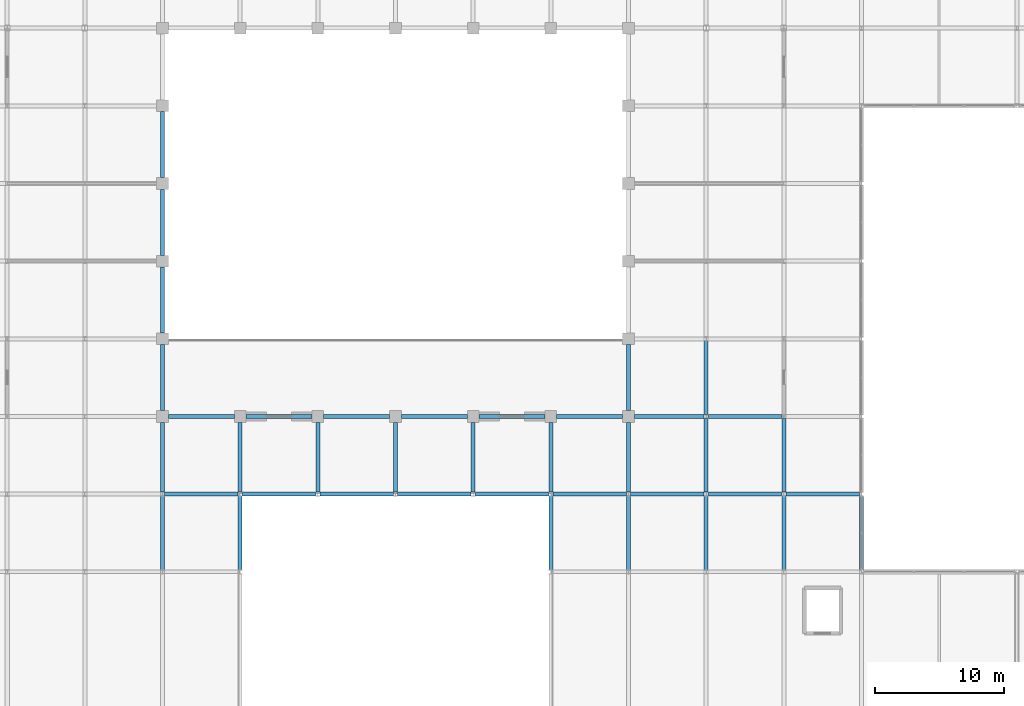
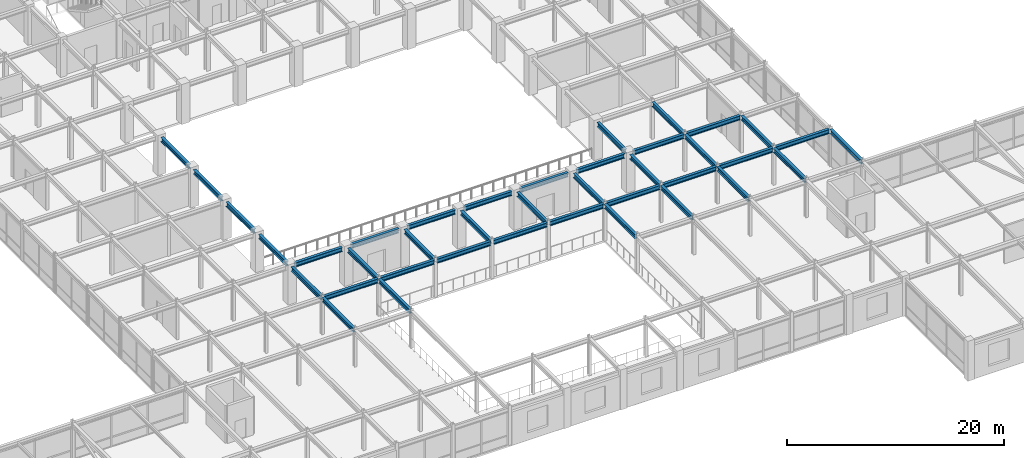
# One storey, part 61 of 108: 39 beams.
"""IFC4 building model written with IfcOpenShell, lengths in metres."""

import ifcopenshell
import ifcopenshell.guid

model = None  # the IFC model being written
_history = None  # IfcOwnerHistory: only IFC2X3 demands one
_inside = {}  # id of a spatial element -> (the spatial element, [elements in it])
_under = {}  # id of a project, library or spatial element -> (it, [spatial elements below it])
_declared = {}  # id of a project -> (the project, [libraries it declares])
_typed = {}  # id of a type object -> (the type object, [elements of that type])
_made_of = {}  # id of a material, layer set ... -> (it, [elements and type objects made of it])


def new_model(schema):
    """Start an empty IFC model of exactly this schema.

    Asked for "IFC4X3", IfcOpenShell would pick the latest addendum, in which some entities
    have other attributes; the version numbers below select the first issue.
    IFC2X3 requires an IfcOwnerHistory on every rooted entity: one is made here for all.
    """
    global model, _history
    if schema == "IFC4X3":
        model = ifcopenshell.file(schema_version=(4, 3, 0, 0))
    else:
        model = ifcopenshell.file(schema=schema)
    _inside.clear()
    _under.clear()
    _declared.clear()
    _typed.clear()
    _made_of.clear()
    _history = None
    if model.schema == "IFC2X3":
        org = make("IfcOrganization", Name="unknown")
        user = make(
            "IfcPersonAndOrganization",
            ThePerson=make("IfcPerson", FamilyName="unknown"),
            TheOrganization=org,
        )
        app = make(
            "IfcApplication",
            ApplicationDeveloper=org,
            Version="unknown",
            ApplicationFullName="unknown",
            ApplicationIdentifier="unknown",
        )
        _history = make(
            "IfcOwnerHistory",
            OwningUser=user,
            OwningApplication=app,
            ChangeAction="ADDED",
            CreationDate=0,
        )
    return model


def make(cls, **values):
    """One entity of the class cls with the attributes given. An attribute that is None is left unset."""
    return model.create_entity(
        cls, **{name: value for name, value in values.items() if value is not None}
    )


def rooted(cls, **values):
    """An entity with a GlobalId (a new one), such as an element, a storey or a relation."""
    return make(cls, GlobalId=ifcopenshell.guid.new(), OwnerHistory=_history, **values)


def si_unit(unit_type, name, prefix=None):
    """IfcSIUnit, for example si_unit("LENGTHUNIT", "METRE", prefix="MILLI")."""
    return make("IfcSIUnit", UnitType=unit_type, Prefix=prefix, Name=name)


def assignment(units):
    """IfcUnitAssignment: the units of a project."""
    return None if units is None else make("IfcUnitAssignment", Units=units)


def point(xyz):
    """IfcCartesianPoint."""
    return None if xyz is None else make("IfcCartesianPoint", Coordinates=xyz)


def direction(xyz):
    """IfcDirection."""
    return None if xyz is None else make("IfcDirection", DirectionRatios=xyz)


def frame(location, z_axis=None, x_axis=None):
    """IfcAxis2Placement3D, a coordinate frame: its origin and axes. An axis left out is left unset."""
    return make(
        "IfcAxis2Placement3D",
        Location=point(location),
        Axis=direction(z_axis),
        RefDirection=direction(x_axis),
    )


def frame_2d(location, x_axis=None):
    """IfcAxis2Placement2D, a coordinate frame in the plane: its origin and x axis."""
    return make(
        "IfcAxis2Placement2D", Location=point(location), RefDirection=direction(x_axis)
    )


def origin():
    """The frame at (0, 0, 0) with its axes left unset."""
    return frame((0.0, 0.0, 0.0))


def origin_2d():
    """The frame at (0, 0) in the plane with its x axis left unset."""
    return frame_2d((0.0, 0.0))


def place(relative_to, where):
    """IfcLocalPlacement: puts the frame where relative to a parent placement (None: the world)."""
    return make(
        "IfcLocalPlacement", PlacementRelTo=relative_to, RelativePlacement=where
    )


def context(
    kind, dimensions, precision=None, world=None, true_north=None, identifier=None
):
    """IfcGeometricRepresentationContext, for example the 3D "Model" context."""
    return make(
        "IfcGeometricRepresentationContext",
        ContextIdentifier=identifier,
        ContextType=kind,
        CoordinateSpaceDimension=dimensions,
        Precision=precision,
        WorldCoordinateSystem=world,
        TrueNorth=true_north,
    )


def subcontext(parent, identifier, kind, view, scale=None):
    """IfcGeometricRepresentationSubContext, for example "Body" below "Model"."""
    return make(
        "IfcGeometricRepresentationSubContext",
        ContextIdentifier=identifier,
        ContextType=kind,
        ParentContext=parent,
        TargetScale=scale,
        TargetView=view,
    )


def project(units=None, contexts=None):
    """IfcProject with its units and contexts."""
    return rooted(
        "IfcProject",
        Name="project",
        RepresentationContexts=contexts,
        UnitsInContext=assignment(units),
    )


def spatial(cls, under=None, at=None, **own):
    """A site, building, storey or space (cls), placed at a placement, below another one or the project."""
    s = rooted(cls, ObjectPlacement=at, **own)
    if under is not None:
        _under.setdefault(under.id(), (under, []))[1].append(s)
    return s


def profile(cls, at=None, kind="AREA", **sizes):
    """A parametric profile (cls). Its sizes go by their IFC names, for example OverallWidth=200.0."""
    return make(cls, ProfileType=kind, Position=at, **sizes)


def i_section(**sizes):
    """IfcIShapeProfileDef."""
    return profile("IfcIShapeProfileDef", **sizes)


def extrude(swept, where, along, depth):
    """IfcExtrudedAreaSolid: the profile swept, set in the frame where, extruded along a direction by depth."""
    return make(
        "IfcExtrudedAreaSolid",
        SweptArea=swept,
        Position=where,
        ExtrudedDirection=direction(along),
        Depth=depth,
    )


def shape(context_of_items, identifier, shape_type, items):
    """IfcShapeRepresentation: the items that make up one representation, for example the "Body"."""
    return make(
        "IfcShapeRepresentation",
        ContextOfItems=context_of_items,
        RepresentationIdentifier=identifier,
        RepresentationType=shape_type,
        Items=items,
    )


def material(Name=None, Category=None):
    """IfcMaterial."""
    return make("IfcMaterial", Name=Name, Category=Category)


def material_profile(
    of_material, cross_section, Name=None, Category=None, Priority=None
):
    """IfcMaterialProfile: a cross section and its material."""
    return make(
        "IfcMaterialProfile",
        Name=Name,
        Material=of_material,
        Profile=cross_section,
        Priority=Priority,
        Category=Category,
    )


def profile_set(profiles, Name=None, composite=None):
    """IfcMaterialProfileSet."""
    return make(
        "IfcMaterialProfileSet",
        Name=Name,
        MaterialProfiles=profiles,
        CompositeProfile=composite,
    )


def made_of(thing, what):
    """Note that an element or type object is made of a material, layer set ...; save() writes the relation."""
    if what is not None:
        _made_of.setdefault(what.id(), (what, []))[1].append(thing)
    return thing


def type_object(cls, material=None, **own):
    """A type object (cls), such as IfcWallType, which elements share."""
    return made_of(rooted(cls, **own), material)


def element(
    cls,
    number,
    at=None,
    inside=None,
    cuts=None,
    type_object=None,
    material=None,
    context=None,
    identifier="Body",
    shape_type=None,
    held_by="IfcProductDefinitionShape",
    body=None,
    shapes=None,
    **own,
):
    """One element of the class cls, such as IfcWall. Its Tag is "e" and its number.

    at: its placement. inside: the storey or other place that contains it. cuts: it is an
    opening in that element (IfcRelVoidsElement). A single representation is given by context,
    identifier, shape_type and body (its items); several are given by shapes. held_by: the class
    of the entity that holds the representations. save() writes the other relations.
    """
    e = rooted(cls, Tag="e%d" % number, ObjectPlacement=at, **own)
    if body is not None:
        shapes = [shape(context, identifier, shape_type, body)]
    if shapes is not None:
        e.Representation = make(held_by, Representations=shapes)
    if inside is not None:
        _inside.setdefault(inside.id(), (inside, []))[1].append(e)
    if cuts is not None:
        rooted(
            "IfcRelVoidsElement", RelatingBuildingElement=cuts, RelatedOpeningElement=e
        )
    if type_object is not None:
        _typed.setdefault(type_object.id(), (type_object, []))[1].append(e)
    return made_of(e, material)


def aggregate(whole, parts):
    """IfcRelAggregates: a whole, such as a stair, and the parts it consists of."""
    return rooted("IfcRelAggregates", RelatingObject=whole, RelatedObjects=parts)


def save(model, path):
    """Write the relations noted so far, then the file.

    IfcRelAggregates (storeys below a building ...), IfcRelContainedInSpatialStructure (elements
    in a storey), IfcRelDefinesByType, IfcRelAssociatesMaterial and IfcRelDeclares: one each for
    every whole, place, type object, material and project.
    """
    for whole, parts in _under.values():
        aggregate(whole, parts)
    for where, things in _inside.values():
        rooted(
            "IfcRelContainedInSpatialStructure",
            RelatedElements=things,
            RelatingStructure=where,
        )
    for kind, things in _typed.values():
        rooted("IfcRelDefinesByType", RelatedObjects=things, RelatingType=kind)
    for what, things in _made_of.values():
        rooted("IfcRelAssociatesMaterial", RelatedObjects=things, RelatingMaterial=what)
    for by, libraries in _declared.values():
        rooted("IfcRelDeclares", RelatingContext=by, RelatedDefinitions=libraries)
    model.write(path)


model = new_model("IFC4")

# Units and contexts
model_context = context("Model", 3, precision=1e-05, world=origin(), true_north=direction((0.0, 1.0)))
body_context = subcontext(model_context, "Body", "Model", "MODEL_VIEW")
ifc_project = project(units=[si_unit("LENGTHUNIT", "METRE"), si_unit("AREAUNIT", "SQUARE_METRE"), si_unit("VOLUMEUNIT", "CUBIC_METRE"), si_unit("PLANEANGLEUNIT", "RADIAN"), si_unit("MASSUNIT", "GRAM", prefix="KILO")], contexts=[model_context])

# Site, building, storey
site_placement = place(None, origin())
site = spatial("IfcSite", under=ifc_project, at=site_placement, CompositionType="ELEMENT")
building_placement = place(site_placement, origin())
building = spatial("IfcBuilding", under=site, at=building_placement, Name="Zlatovratsky Civic Hall", CompositionType="ELEMENT")
storey_placement = place(building_placement, frame((0.0, 0.0, 12.0)))
storey = spatial("IfcBuildingStorey", under=building, at=storey_placement, Name="L03", CompositionType="ELEMENT", Elevation=12.0)

# Beams
ifc_material = material(Name="Steel S355", Category="steel")
ifc_material_profile = material_profile(ifc_material, i_section(OverallWidth=0.300048828125, OverallDepth=0.48193359375, WebThickness=0.010986328125, FlangeThickness=0.014892578125, FilletRadius=0.02392578125, at=origin_2d()), Name="50Sh1")
ifc_profile_set = profile_set([ifc_material_profile], Name="Steel S355")
beam_type = type_object("IfcBeamType", Name="Beam_LibraryGirder_50Sh1", PredefinedType="BEAM", material=ifc_profile_set)
for number, where, z_axis, x_axis, name in (
    (1, (66.1494140625, 36.0, 3.97900390625), (1.0, 0.0, 0.0), (0.0, 1.0, 0.0), "BM-2548"),
    (2, (72.1494140625, 36.0, 3.97900390625), (1.0, 0.0, 0.0), (0.0, 1.0, 0.0), "BM-2549"),
    (3, (78.1494140625, 36.0, 3.97900390625), (1.0, 0.0, 0.0), (0.0, 1.0, 0.0), "BM-2550"),
    (4, (84.1494140625, 36.0, 3.97900390625), (1.0, 0.0, 0.0), (0.0, 1.0, 0.0), "BM-2551"),
    (5, (90.1494140625, 36.0, 3.97900390625), (1.0, 0.0, 0.0), (0.0, 1.0, 0.0), "BM-2552"),
    (6, (96.1494140625, 36.0, 3.97900390625), (1.0, 0.0, 0.0), (0.0, 1.0, 0.0), "BM-2553"),
    (7, (102.1494140625, 36.0, 3.97900390625), (1.0, 0.0, 0.0), (0.0, 1.0, 0.0), "BM-2554"),
    (8, (108.1494140625, 36.0, 3.97900390625), (1.0, 0.0, 0.0), (0.0, 1.0, 0.0), "BM-2555"),
    (9, (114.1494140625, 36.0, 3.97900390625), (1.0, 0.0, 0.0), (0.0, 1.0, 0.0), "BM-2556"),
):
    element("IfcBeam", number, at=place(storey_placement, frame(where, z_axis=z_axis, x_axis=x_axis)), inside=storey, type_object=beam_type, Name=name, PredefinedType="BEAM", context=body_context, shape_type="SweptSolid", body=[
        extrude(i_section(OverallWidth=0.300048828125, OverallDepth=0.48193359375, WebThickness=0.010986328125, FlangeThickness=0.014892578125, FilletRadius=0.02392578125, at=origin_2d()), origin(), (0.0, 0.0, 1.0), 5.701171875),
    ])
for number, where, z_axis, x_axis, name in (
    (10, (66.449951171875, 42.0, 3.97900390625), (1.0, 0.0, 0.0), (0.0, 1.0, 0.0), "BM-2564"),
    (11, (72.449951171875, 42.0, 3.97900390625), (1.0, 0.0, 0.0), (0.0, 1.0, 0.0), "BM-2565"),
    (12, (78.449951171875, 42.0, 3.97900390625), (1.0, 0.0, 0.0), (0.0, 1.0, 0.0), "BM-2566"),
    (13, (84.449951171875, 42.0, 3.97900390625), (1.0, 0.0, 0.0), (0.0, 1.0, 0.0), "BM-2567"),
    (14, (90.449951171875, 42.0, 3.97900390625), (1.0, 0.0, 0.0), (0.0, 1.0, 0.0), "BM-2568"),
    (15, (96.449951171875, 42.0, 3.97900390625), (1.0, 0.0, 0.0), (0.0, 1.0, 0.0), "BM-2569"),
):
    element("IfcBeam", number, at=place(storey_placement, frame(where, z_axis=z_axis, x_axis=x_axis)), inside=storey, type_object=beam_type, Name=name, PredefinedType="BEAM", context=body_context, shape_type="SweptSolid", body=[
        extrude(i_section(OverallWidth=0.300048828125, OverallDepth=0.48193359375, WebThickness=0.010986328125, FlangeThickness=0.014892578125, FilletRadius=0.02392578125, at=origin_2d()), origin(), (0.0, 0.0, 1.0), 5.10009765625),
    ])
beam_1_placement = place(storey_placement, frame((102.449951171875, 42.0, 3.97900390625), z_axis=(1.0, 0.0, 0.0), x_axis=(0.0, 1.0, 0.0)))
element("IfcBeam", 16, at=beam_1_placement, inside=storey, type_object=beam_type, Name="BM-2570", PredefinedType="BEAM", context=body_context, shape_type="SweptSolid", body=[
    extrude(i_section(OverallWidth=0.300048828125, OverallDepth=0.48193359375, WebThickness=0.010986328125, FlangeThickness=0.014892578125, FilletRadius=0.02392578125, at=origin_2d()), origin(), (0.0, 0.0, 1.0), 5.400634765625),
])
beam_2_placement = place(storey_placement, frame((108.1494140625, 42.0, 3.97900390625), z_axis=(1.0, 0.0, 0.0), x_axis=(0.0, 1.0, 0.0)))
element("IfcBeam", 17, at=beam_2_placement, inside=storey, type_object=beam_type, Name="BM-2571", PredefinedType="BEAM", context=body_context, shape_type="SweptSolid", body=[
    extrude(i_section(OverallWidth=0.300048828125, OverallDepth=0.48193359375, WebThickness=0.010986328125, FlangeThickness=0.014892578125, FilletRadius=0.02392578125, at=origin_2d()), origin(), (0.0, 0.0, 1.0), 5.701171875),
])
beam_3_placement = place(storey_placement, frame((66.0, 30.14794921875, 3.97900390625), z_axis=(0.0, 1.0, 0.0), x_axis=(-1.0, 0.0, 0.0)))
element("IfcBeam", 18, at=beam_3_placement, inside=storey, type_object=beam_type, Name="BM-2918", PredefinedType="BEAM", context=body_context, shape_type="SweptSolid", body=[
    extrude(i_section(OverallWidth=0.300048828125, OverallDepth=0.48193359375, WebThickness=0.010986328125, FlangeThickness=0.014892578125, FilletRadius=0.02392578125, at=origin_2d()), origin(), (0.0, 0.0, 1.0), 5.7041015625),
])
beam_4_placement = place(storey_placement, frame((66.0, 36.14794921875, 3.97900390625), z_axis=(0.0, 1.0, 0.0), x_axis=(-1.0, 0.0, 0.0)))
element("IfcBeam", 19, at=beam_4_placement, inside=storey, type_object=beam_type, Name="BM-2919", PredefinedType="BEAM", context=body_context, shape_type="SweptSolid", body=[
    extrude(i_section(OverallWidth=0.300048828125, OverallDepth=0.48193359375, WebThickness=0.010986328125, FlangeThickness=0.014892578125, FilletRadius=0.02392578125, at=origin_2d()), origin(), (0.0, 0.0, 1.0), 5.402099609375),
])
for number, where, z_axis, x_axis, name in (
    (20, (66.0, 42.449951171875, 3.97900390625), (0.0, 1.0, 0.0), (-1.0, 0.0, 0.0), "BM-2920"),
    (21, (66.0, 48.449951171875, 3.97900390625), (0.0, 1.0, 0.0), (-1.0, 0.0, 0.0), "BM-2921"),
    (22, (66.0, 54.449951171875, 3.97900390625), (0.0, 1.0, 0.0), (-1.0, 0.0, 0.0), "BM-2922"),
    (23, (66.0, 60.449951171875, 3.97900390625), (0.0, 1.0, 0.0), (-1.0, 0.0, 0.0), "BM-2923"),
):
    element("IfcBeam", number, at=place(storey_placement, frame(where, z_axis=z_axis, x_axis=x_axis)), inside=storey, type_object=beam_type, Name=name, PredefinedType="BEAM", context=body_context, shape_type="SweptSolid", body=[
        extrude(i_section(OverallWidth=0.300048828125, OverallDepth=0.48193359375, WebThickness=0.010986328125, FlangeThickness=0.014892578125, FilletRadius=0.02392578125, at=origin_2d()), origin(), (0.0, 0.0, 1.0), 5.10009765625),
    ])
beam_5_placement = place(storey_placement, frame((72.0, 30.14794921875, 3.97900390625), z_axis=(0.0, 1.0, 0.0), x_axis=(-1.0, 0.0, 0.0)))
element("IfcBeam", 24, at=beam_5_placement, inside=storey, type_object=beam_type, Name="BM-2934", PredefinedType="BEAM", context=body_context, shape_type="SweptSolid", body=[
    extrude(i_section(OverallWidth=0.300048828125, OverallDepth=0.48193359375, WebThickness=0.010986328125, FlangeThickness=0.014892578125, FilletRadius=0.02392578125, at=origin_2d()), origin(), (0.0, 0.0, 1.0), 5.7041015625),
])
for number, where, z_axis, x_axis, name in (
    (25, (72.0, 36.14794921875, 3.97900390625), (0.0, 1.0, 0.0), (-1.0, 0.0, 0.0), "BM-2935"),
    (26, (78.0, 36.14794921875, 3.97900390625), (0.0, 1.0, 0.0), (-1.0, 0.0, 0.0), "BM-2944"),
    (27, (84.0, 36.14794921875, 3.97900390625), (0.0, 1.0, 0.0), (-1.0, 0.0, 0.0), "BM-2953"),
    (28, (90.0, 36.14794921875, 3.97900390625), (0.0, 1.0, 0.0), (-1.0, 0.0, 0.0), "BM-2962"),
):
    element("IfcBeam", number, at=place(storey_placement, frame(where, z_axis=z_axis, x_axis=x_axis)), inside=storey, type_object=beam_type, Name=name, PredefinedType="BEAM", context=body_context, shape_type="SweptSolid", body=[
        extrude(i_section(OverallWidth=0.300048828125, OverallDepth=0.48193359375, WebThickness=0.010986328125, FlangeThickness=0.014892578125, FilletRadius=0.02392578125, at=origin_2d()), origin(), (0.0, 0.0, 1.0), 5.402099609375),
    ])
beam_6_placement = place(storey_placement, frame((96.0, 30.14794921875, 3.97900390625), z_axis=(0.0, 1.0, 0.0), x_axis=(-1.0, 0.0, 0.0)))
element("IfcBeam", 29, at=beam_6_placement, inside=storey, type_object=beam_type, Name="BM-2972", PredefinedType="BEAM", context=body_context, shape_type="SweptSolid", body=[
    extrude(i_section(OverallWidth=0.300048828125, OverallDepth=0.48193359375, WebThickness=0.010986328125, FlangeThickness=0.014892578125, FilletRadius=0.02392578125, at=origin_2d()), origin(), (0.0, 0.0, 1.0), 5.7041015625),
])
beam_7_placement = place(storey_placement, frame((96.0, 36.14794921875, 3.97900390625), z_axis=(0.0, 1.0, 0.0), x_axis=(-1.0, 0.0, 0.0)))
element("IfcBeam", 30, at=beam_7_placement, inside=storey, type_object=beam_type, Name="BM-2973", PredefinedType="BEAM", context=body_context, shape_type="SweptSolid", body=[
    extrude(i_section(OverallWidth=0.300048828125, OverallDepth=0.48193359375, WebThickness=0.010986328125, FlangeThickness=0.014892578125, FilletRadius=0.02392578125, at=origin_2d()), origin(), (0.0, 0.0, 1.0), 5.402099609375),
])
beam_8_placement = place(storey_placement, frame((102.0, 30.14794921875, 3.97900390625), z_axis=(0.0, 1.0, 0.0), x_axis=(-1.0, 0.0, 0.0)))
element("IfcBeam", 31, at=beam_8_placement, inside=storey, type_object=beam_type, Name="BM-2983", PredefinedType="BEAM", context=body_context, shape_type="SweptSolid", body=[
    extrude(i_section(OverallWidth=0.300048828125, OverallDepth=0.48193359375, WebThickness=0.010986328125, FlangeThickness=0.014892578125, FilletRadius=0.02392578125, at=origin_2d()), origin(), (0.0, 0.0, 1.0), 5.7041015625),
])
beam_9_placement = place(storey_placement, frame((102.0, 36.14794921875, 3.97900390625), z_axis=(0.0, 1.0, 0.0), x_axis=(-1.0, 0.0, 0.0)))
element("IfcBeam", 32, at=beam_9_placement, inside=storey, type_object=beam_type, Name="BM-2984", PredefinedType="BEAM", context=body_context, shape_type="SweptSolid", body=[
    extrude(i_section(OverallWidth=0.300048828125, OverallDepth=0.48193359375, WebThickness=0.010986328125, FlangeThickness=0.014892578125, FilletRadius=0.02392578125, at=origin_2d()), origin(), (0.0, 0.0, 1.0), 5.402099609375),
])
beam_10_placement = place(storey_placement, frame((102.0, 42.449951171875, 3.97900390625), z_axis=(0.0, 1.0, 0.0), x_axis=(-1.0, 0.0, 0.0)))
element("IfcBeam", 33, at=beam_10_placement, inside=storey, type_object=beam_type, Name="BM-2985", PredefinedType="BEAM", context=body_context, shape_type="SweptSolid", body=[
    extrude(i_section(OverallWidth=0.300048828125, OverallDepth=0.48193359375, WebThickness=0.010986328125, FlangeThickness=0.014892578125, FilletRadius=0.02392578125, at=origin_2d()), origin(), (0.0, 0.0, 1.0), 5.10009765625),
])
for number, where, z_axis, x_axis, name in (
    (34, (108.0, 30.14794921875, 3.97900390625), (0.0, 1.0, 0.0), (-1.0, 0.0, 0.0), "BM-2999"),
    (35, (108.0, 36.14794921875, 3.97900390625), (0.0, 1.0, 0.0), (-1.0, 0.0, 0.0), "BM-3000"),
    (36, (108.0, 42.14794921875, 3.97900390625), (0.0, 1.0, 0.0), (-1.0, 0.0, 0.0), "BM-3001"),
    (37, (114.0, 30.14794921875, 3.97900390625), (0.0, 1.0, 0.0), (-1.0, 0.0, 0.0), "BM-3016"),
    (38, (114.0, 36.14794921875, 3.97900390625), (0.0, 1.0, 0.0), (-1.0, 0.0, 0.0), "BM-3017"),
    (39, (120.0, 30.14794921875, 3.97900390625), (0.0, 1.0, 0.0), (-1.0, 0.0, 0.0), "BM-3033"),
):
    element("IfcBeam", number, at=place(storey_placement, frame(where, z_axis=z_axis, x_axis=x_axis)), inside=storey, type_object=beam_type, Name=name, PredefinedType="BEAM", context=body_context, shape_type="SweptSolid", body=[
        extrude(i_section(OverallWidth=0.300048828125, OverallDepth=0.48193359375, WebThickness=0.010986328125, FlangeThickness=0.014892578125, FilletRadius=0.02392578125, at=origin_2d()), origin(), (0.0, 0.0, 1.0), 5.7041015625),
    ])

save(model, "model.ifc")
